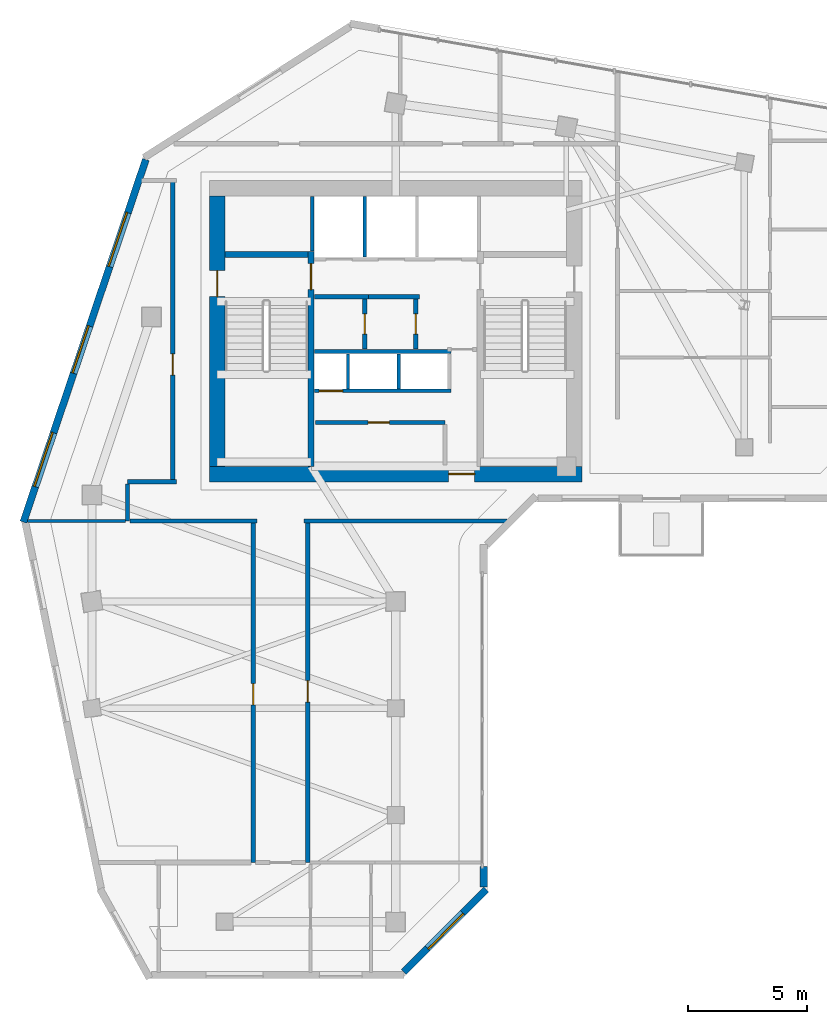
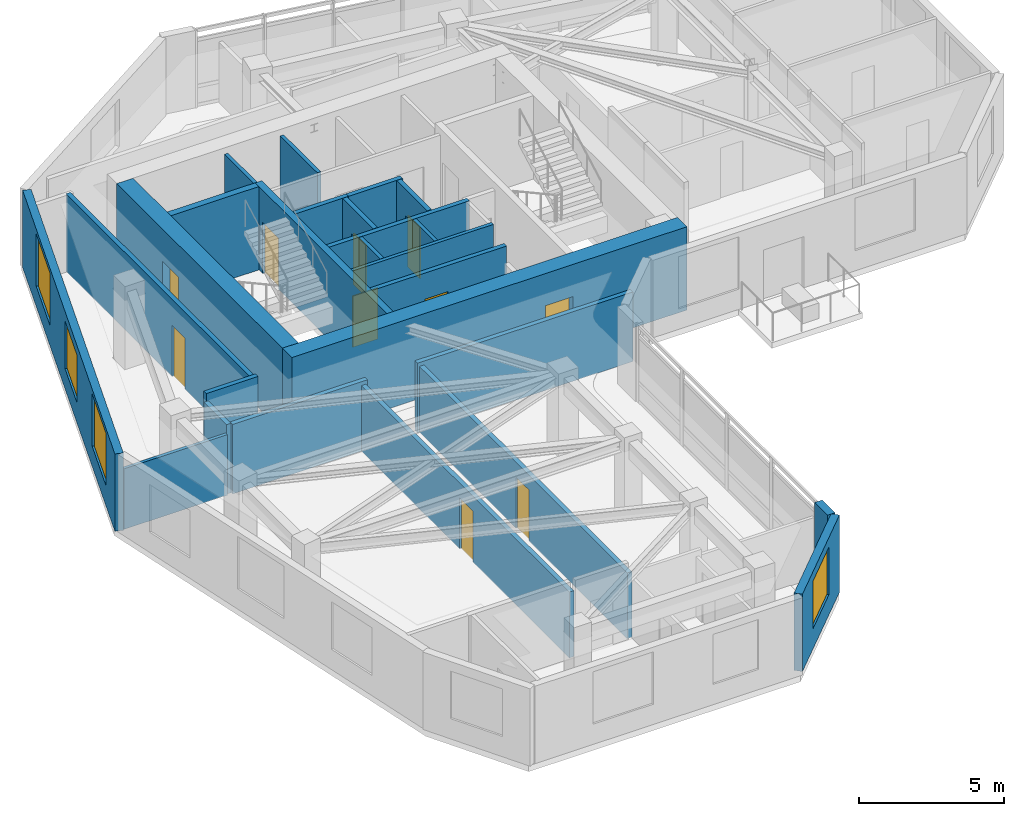
# One storey, part 4 of 9: 26 walls, 10 doors, 4 windows, 14 openings.
"""IFC4 building model written with IfcOpenShell, lengths in metres."""

from ifc_helpers import new_model, si_unit, direction, frame, frame_2d, origin, place, context, subcontext, project, spatial, rectangle, extrude, source, transform, mapped, material, layer, layer_set, type_object, element, fill, save


model = new_model("IFC4")

# Units and contexts
model_context = context("Model", 3, precision=1e-05, world=origin(), true_north=direction((0.0, 1.0)))
body_context = subcontext(model_context, "Body", "Model", "MODEL_VIEW")
ifc_project = project(units=[si_unit("LENGTHUNIT", "METRE"), si_unit("AREAUNIT", "SQUARE_METRE"), si_unit("VOLUMEUNIT", "CUBIC_METRE"), si_unit("PLANEANGLEUNIT", "RADIAN"), si_unit("MASSUNIT", "GRAM", prefix="KILO")], contexts=[model_context])

# Site, building, storey
site_placement = place(None, origin())
site = spatial("IfcSite", under=ifc_project, at=site_placement, CompositionType="ELEMENT")
building_placement = place(site_placement, origin())
building = spatial("IfcBuilding", under=site, at=building_placement, Name="Calvemar Wedge Station Tower", CompositionType="ELEMENT")
storey_placement = place(building_placement, frame((0.0, 0.0, 228.89990234375)))
storey = spatial("IfcBuildingStorey", under=building, at=storey_placement, Name="L58", CompositionType="ELEMENT", Elevation=228.89990234375)

# Wall, opening, door
ifc_material_1 = material(Name="Concrete C50", Category="concrete")
ifc_layer_1 = layer(ifc_material_1, 0.260009765625)
ifc_layer_set_1 = layer_set([ifc_layer_1], Name="Concrete C50")
wall_type_1 = type_object("IfcWallType", Name="SW-CORE-260", PredefinedType="SHEAR", material=ifc_layer_set_1)
wall_1_placement = place(storey_placement, frame((20.22998046875, 34.199951171875, 0.0), z_axis=(0.0, 0.0, 1.0), x_axis=(0.0, 1.0, 0.0)))
wall_1 = element("IfcWall", 1, at=wall_1_placement, inside=storey, type_object=wall_type_1, Name="Storey L58 Core Shear Wall SPINE-W", PredefinedType="SHEAR", context=body_context, shape_type="SweptSolid", body=[
    extrude(rectangle(XDim=9.06005859375, YDim=0.260009765625, at=frame_2d((4.530029296875, 0.0))), origin(), (0.0, 0.0, 1.0), 3.5),
])
shared_shape_1 = source(origin(), body_context, "Body", "SweptSolid", [
    extrude(rectangle(XDim=1.10009765625, YDim=2.14990234375, at=frame_2d((0.550048828125, 1.074951171875))), frame((0.0, 0.14013671875, 0.0), z_axis=(0.0, -1.0, 0.0), x_axis=(1.0, 0.0, 0.0)), (0.0, 0.0, 1.0), 0.280029296875),
])
opening_1_placement = place(wall_1_placement, frame((7.449951171875, 0.0, 0.0)))
opening_1 = element("IfcOpeningElement", 2, at=opening_1_placement, cuts=wall_1, Name="Opening FD-90", PredefinedType="OPENING", context=body_context, shape_type="MappedRepresentation", body=[
    mapped(shared_shape_1, transform((0.0, 0.0, 0.0), scale=1.0)),
])
ifc_material_2 = material(Name="Galvanized fire-rated steel door leaf P-90", Category="steel")
door_type_1 = type_object("IfcDoorType", Name="DR-FD90-1100", OperationType="NOTDEFINED", PredefinedType="DOOR", material=ifc_material_2)
shared_shape_2 = source(origin(), body_context, "Body", "SweptSolid", [
    extrude(rectangle(XDim=1.10009765625, YDim=2.14990234375, at=frame_2d((0.550048828125, 1.074951171875))), frame((0.0, 0.02490234375, 0.0), z_axis=(0.0, -1.0, 0.0), x_axis=(1.0, 0.0, 0.0)), (0.0, 0.0, 1.0), 0.050048828125),
])
door_1_placement = place(opening_1_placement, origin())
door_1 = element("IfcDoor", 3, at=door_1_placement, inside=storey, type_object=door_type_1, Name="L58 FF Lobby to Stair ST-C1 Door", OperationType="SINGLE_SWING_RIGHT", OverallHeight=2.14990234375, OverallWidth=1.10009765625, PredefinedType="DOOR", context=body_context, shape_type="MappedRepresentation", body=[
    mapped(shared_shape_2, transform((0.0, 0.0, 0.0), scale=1.0)),
])
fill(opening_1, door_1)

# Wall
wall_2_placement = place(storey_placement, frame((16.60009765625, 43.1298828125, 0.0), z_axis=(0.0, 0.0, 1.0), x_axis=(1.0, 0.0, 0.0)))
element("IfcWall", 4, at=wall_2_placement, inside=storey, type_object=wall_type_1, Name="Storey L58 Core Shear Wall STC1-N", PredefinedType="SHEAR", context=body_context, shape_type="SweptSolid", body=[
    extrude(rectangle(XDim=3.5, YDim=0.260009765625, at=frame_2d((1.75, 0.0))), origin(), (0.0, 0.0, 1.0), 3.5),
])

# Wall, opening, door
ifc_material_3 = material(Name="Concrete C60", Category="concrete")
ifc_layer_2 = layer(ifc_material_3, 0.64990234375)
ifc_layer_set_2 = layer_set([ifc_layer_2], Name="Concrete C60")
wall_type_2 = type_object("IfcWallType", Name="SW-CORE-650", PredefinedType="SHEAR", material=ifc_layer_set_2)
wall_3_placement = place(storey_placement, frame((15.949951171875, 33.875, 0.0), z_axis=(0.0, 0.0, 1.0), x_axis=(1.0, 0.0, 0.0)))
wall_3 = element("IfcWall", 5, at=wall_3_placement, inside=storey, type_object=wall_type_2, Name="Storey L58 Core Shear Wall S", PredefinedType="SHEAR", context=body_context, shape_type="SweptSolid", body=[
    extrude(rectangle(XDim=15.699951171875, YDim=0.64990234375, at=frame_2d((7.85009765625, 0.0))), origin(), (0.0, 0.0, 1.0), 3.5),
])
shared_shape_3 = source(origin(), body_context, "Body", "SweptSolid", [
    extrude(rectangle(XDim=1.10009765625, YDim=2.14990234375, at=frame_2d((0.550048828125, 1.074951171875))), frame((0.0, 0.3349609375, 0.0), z_axis=(0.0, -1.0, 0.0), x_axis=(1.0, 0.0, 0.0)), (0.0, 0.0, 1.0), 0.669921875),
])
opening_2_placement = place(wall_3_placement, frame((10.080078125, 0.0, 0.0)))
opening_2 = element("IfcOpeningElement", 6, at=opening_2_placement, cuts=wall_3, Name="Opening FD-90", PredefinedType="OPENING", context=body_context, shape_type="MappedRepresentation", body=[
    mapped(shared_shape_3, transform((0.0, 0.0, 0.0), scale=1.0)),
])
door_2_placement = place(opening_2_placement, origin())
door_2 = element("IfcDoor", 7, at=door_2_placement, inside=storey, type_object=door_type_1, Name="L58 Passenger Lift Lobby Door", OperationType="SINGLE_SWING_RIGHT", OverallHeight=2.14990234375, OverallWidth=1.10009765625, PredefinedType="DOOR", context=body_context, shape_type="MappedRepresentation", body=[
    mapped(shared_shape_2, transform((0.0, 0.0, 0.0), scale=1.0)),
])
fill(opening_2, door_2)

wall_4_placement = place(storey_placement, frame((16.27490234375, 34.199951171875, 0.0), z_axis=(0.0, 0.0, 1.0), x_axis=(0.0, 1.0, 0.0)))
wall_4 = element("IfcWall", 8, at=wall_4_placement, inside=storey, type_object=wall_type_2, Name="Storey L58 Core Shear Wall W", PredefinedType="SHEAR", context=body_context, shape_type="SweptSolid", body=[
    extrude(rectangle(XDim=11.400146484375, YDim=0.64990234375, at=frame_2d((5.7001953125, 0.0))), origin(), (0.0, 0.0, 1.0), 3.5),
])
opening_3_placement = place(wall_4_placement, frame((7.14990234375, 0.0, 0.0)))
opening_3 = element("IfcOpeningElement", 9, at=opening_3_placement, cuts=wall_4, Name="Opening FD-90", PredefinedType="OPENING", context=body_context, shape_type="MappedRepresentation", body=[
    mapped(shared_shape_3, transform((0.0, 0.0, 0.0), scale=1.0)),
])
door_3_placement = place(opening_3_placement, origin())
door_3 = element("IfcDoor", 10, at=door_3_placement, inside=storey, type_object=door_type_1, Name="L58 West Corridor to Exit Stair ST-C1 Door", OperationType="SINGLE_SWING_RIGHT", OverallHeight=2.14990234375, OverallWidth=1.10009765625, PredefinedType="DOOR", context=body_context, shape_type="MappedRepresentation", body=[
    mapped(shared_shape_2, transform((0.0, 0.0, 0.0), scale=1.0)),
])
fill(opening_3, door_3)

# Walls
ifc_material_4 = material(Name="Double-stud fire-rated corridor partition")
ifc_layer_3 = layer(ifc_material_4, 0.179931640625)
ifc_layer_set_3 = layer_set([ifc_layer_3], Name="Double-stud fire-rated corridor partition")
wall_type_3 = type_object("IfcWallType", Name="W-CORR-180", PredefinedType="PARTITIONING", material=ifc_layer_set_3)
wall_5_placement = place(storey_placement, frame((22.659912109375, 41.35009765625, 0.0), z_axis=(0.0, 0.0, 1.0), x_axis=(-1.0, 0.0, 0.0)))
element("IfcWall", 11, at=wall_5_placement, inside=storey, type_object=wall_type_3, Name="Storey L58 Interior Partition WL-L58-001", PredefinedType="PARTITIONING", context=body_context, shape_type="SweptSolid", body=[
    extrude(rectangle(XDim=2.280029296875, YDim=0.179931640625, at=frame_2d((1.14013671875, 0.0))), origin(), (0.0, 0.0, 1.0), 3.25),
])
wall_6_placement = place(storey_placement, frame((24.81005859375, 41.35009765625, 0.0), z_axis=(0.0, 0.0, 1.0), x_axis=(-1.0, 0.0, 0.0)))
element("IfcWall", 12, at=wall_6_placement, inside=storey, type_object=wall_type_3, Name="Storey L58 Interior Partition WL-L58-002", PredefinedType="PARTITIONING", context=body_context, shape_type="SweptSolid", body=[
    extrude(rectangle(XDim=2.14794921875, YDim=0.179931640625, at=frame_2d((1.073974609375, 0.0))), origin(), (0.0, 0.0, 1.0), 3.25),
])

# Wall, opening, door
wall_7_placement = place(storey_placement, frame((22.5, 41.256103515625, 0.0), z_axis=(0.0, 0.0, 1.0), x_axis=(0.0, -1.0, 0.0)))
wall_7 = element("IfcWall", 13, at=wall_7_placement, inside=storey, type_object=wall_type_3, Name="Storey L58 Interior Partition WL-L58-003", PredefinedType="PARTITIONING", context=body_context, shape_type="SweptSolid", body=[
    extrude(rectangle(XDim=2.106201171875, YDim=0.179931640625, at=frame_2d((1.05322265625, 0.0))), origin(), (0.0, 0.0, 1.0), 3.25),
])
shared_shape_4 = source(origin(), body_context, "Body", "SweptSolid", [
    extrude(rectangle(XDim=0.85009765625, YDim=2.14990234375, at=frame_2d((0.425048828125, 1.074951171875))), frame((0.0, 0.10009765625, 0.0), z_axis=(0.0, -1.0, 0.0), x_axis=(1.0, 0.0, 0.0)), (0.0, 0.0, 1.0), 0.199951171875),
])
opening_4_placement = place(wall_7_placement, frame((0.6279296875, 0.0, 0.0)))
opening_4 = element("IfcOpeningElement", 14, at=opening_4_placement, cuts=wall_7, Name="Opening FD-60S", PredefinedType="OPENING", context=body_context, shape_type="MappedRepresentation", body=[
    mapped(shared_shape_4, transform((0.0, 0.0, 0.0), scale=1.0)),
])
ifc_material_5 = material(Name="Fire-rated steel and hardwood service door EI 60", Category="steel")
door_type_2 = type_object("IfcDoorType", Name="DR-CORE-FD60-850", OperationType="NOTDEFINED", PredefinedType="DOOR", material=ifc_material_5)
shared_shape_5 = source(origin(), body_context, "Body", "SweptSolid", [
    extrude(rectangle(XDim=0.85009765625, YDim=2.14990234375, at=frame_2d((0.425048828125, 1.074951171875))), frame((0.0, 0.02490234375, 0.0), z_axis=(0.0, -1.0, 0.0), x_axis=(1.0, 0.0, 0.0)), (0.0, 0.0, 1.0), 0.050048828125),
])
door_4_placement = place(opening_4_placement, origin())
door_4 = element("IfcDoor", 15, at=door_4_placement, inside=storey, type_object=door_type_2, Name="L58 IT and Telecoms Room Door", OperationType="SINGLE_SWING_LEFT", OverallHeight=2.14990234375, OverallWidth=0.85009765625, PredefinedType="DOOR", context=body_context, shape_type="MappedRepresentation", body=[
    mapped(shared_shape_5, transform((0.0, 0.0, 0.0), scale=1.0)),
])
fill(opening_4, door_4)

wall_8_placement = place(storey_placement, frame((24.64990234375, 41.256103515625, 0.0), z_axis=(0.0, 0.0, 1.0), x_axis=(0.0, -1.0, 0.0)))
wall_8 = element("IfcWall", 16, at=wall_8_placement, inside=storey, type_object=wall_type_3, Name="Storey L58 Interior Partition WL-L58-004", PredefinedType="PARTITIONING", context=body_context, shape_type="SweptSolid", body=[
    extrude(rectangle(XDim=2.106201171875, YDim=0.179931640625, at=frame_2d((1.05322265625, 0.0))), origin(), (0.0, 0.0, 1.0), 3.25),
])
opening_5_placement = place(wall_8_placement, frame((0.6279296875, 0.0, 0.0)))
opening_5 = element("IfcOpeningElement", 17, at=opening_5_placement, cuts=wall_8, Name="Opening FD-60S", PredefinedType="OPENING", context=body_context, shape_type="MappedRepresentation", body=[
    mapped(shared_shape_4, transform((0.0, 0.0, 0.0), scale=1.0)),
])
door_5_placement = place(opening_5_placement, origin())
door_5 = element("IfcDoor", 18, at=door_5_placement, inside=storey, type_object=door_type_2, Name="L58 Core Equipment Store Door", OperationType="SINGLE_SWING_RIGHT", OverallHeight=2.14990234375, OverallWidth=0.85009765625, PredefinedType="DOOR", context=body_context, shape_type="MappedRepresentation", body=[
    mapped(shared_shape_5, transform((0.0, 0.0, 0.0), scale=1.0)),
])
fill(opening_5, door_5)

wall_9_placement = place(storey_placement, frame((20.419921875, 36.050048828125, 0.0), z_axis=(0.0, 0.0, 1.0), x_axis=(1.0, 0.0, 0.0)))
wall_9 = element("IfcWall", 19, at=wall_9_placement, inside=storey, type_object=wall_type_3, Name="Storey L58 Interior Partition WL-L58-006", PredefinedType="PARTITIONING", context=body_context, shape_type="SweptSolid", body=[
    extrude(rectangle(XDim=5.4599609375, YDim=0.179931640625, at=frame_2d((2.72998046875, 0.0))), origin(), (0.0, 0.0, 1.0), 3.25),
])
shared_shape_6 = source(origin(), body_context, "Body", "SweptSolid", [
    extrude(rectangle(XDim=0.89990234375, YDim=2.14990234375, at=frame_2d((0.449951171875, 1.074951171875))), frame((0.0, 0.10009765625, 0.0), z_axis=(0.0, -1.0, 0.0), x_axis=(1.0, 0.0, 0.0)), (0.0, 0.0, 1.0), 0.199951171875),
])
opening_6_placement = place(wall_9_placement, frame((2.219482421875, 0.0, 0.0)))
opening_6 = element("IfcOpeningElement", 20, at=opening_6_placement, cuts=wall_9, Name="Opening FD-60", PredefinedType="OPENING", context=body_context, shape_type="MappedRepresentation", body=[
    mapped(shared_shape_6, transform((0.0, 0.0, 0.0), scale=1.0)),
])
ifc_material_6 = material(Name="Fire-rated acoustic timber-core entrance door EI 60", Category="wood")
door_type_3 = type_object("IfcDoorType", Name="DR-FD60-900", OperationType="NOTDEFINED", PredefinedType="DOOR", material=ifc_material_6)
shared_shape_7 = source(origin(), body_context, "Body", "SweptSolid", [
    extrude(rectangle(XDim=0.89990234375, YDim=2.14990234375, at=frame_2d((0.449951171875, 1.074951171875))), frame((0.0, 0.02490234375, 0.0), z_axis=(0.0, -1.0, 0.0), x_axis=(1.0, 0.0, 0.0)), (0.0, 0.0, 1.0), 0.050048828125),
])
door_6_placement = place(opening_6_placement, origin())
door_6 = element("IfcDoor", 21, at=door_6_placement, inside=storey, type_object=door_type_3, Name="L58 Parcel and Resident Store Door", OperationType="SINGLE_SWING_RIGHT", OverallHeight=2.14990234375, OverallWidth=0.89990234375, PredefinedType="DOOR", context=body_context, shape_type="MappedRepresentation", body=[
    mapped(shared_shape_7, transform((0.0, 0.0, 0.0), scale=1.0)),
])
fill(opening_6, door_6)

# Walls
wall_10_placement = place(storey_placement, frame((12.5, 33.550048828125, 0.0), z_axis=(0.0, 0.0, 1.0), x_axis=(1.0, 0.0, 0.0)))
element("IfcWall", 22, at=wall_10_placement, inside=storey, type_object=wall_type_3, Name="Storey L58 Interior Partition WL-L58-008", PredefinedType="PARTITIONING", context=body_context, shape_type="SweptSolid", body=[
    extrude(rectangle(XDim=2.06005859375, YDim=0.179931640625, at=frame_2d((1.030029296875, 0.0))), origin(), (0.0, 0.0, 1.0), 3.25),
])
wall_11_placement = place(storey_placement, frame((12.5, 31.89990234375, 0.0), z_axis=(0.0, 0.0, 1.0), x_axis=(0.0, 1.0, 0.0)))
element("IfcWall", 23, at=wall_11_placement, inside=storey, type_object=wall_type_3, Name="Storey L58 Interior Partition WL-L58-009", PredefinedType="PARTITIONING", context=body_context, shape_type="SweptSolid", body=[
    extrude(rectangle(XDim=1.55615234375, YDim=0.179931640625, at=frame_2d((0.778076171875, 0.0))), origin(), (0.0, 0.0, 1.0), 2.919189453125),
])
wall_12_placement = place(storey_placement, frame((17.9599609375, 31.89990234375, 0.0), z_axis=(0.0, 0.0, 1.0), x_axis=(-1.0, 0.0, 0.0)))
element("IfcWall", 24, at=wall_12_placement, inside=storey, type_object=wall_type_3, Name="Storey L58 Interior Partition WL-L58-010", PredefinedType="PARTITIONING", context=body_context, shape_type="SweptSolid", body=[
    extrude(rectangle(XDim=5.365966796875, YDim=0.179931640625, at=frame_2d((2.68310546875, 0.0))), origin(), (0.0, 0.0, 1.0), 2.919189453125),
])
wall_13_placement = place(storey_placement, frame((28.497314453125, 31.89990234375, 0.0), z_axis=(0.0, 0.0, 1.0), x_axis=(-1.0, 0.0, 0.0)))
element("IfcWall", 25, at=wall_13_placement, inside=storey, type_object=wall_type_3, Name="Storey L58 Interior Partition WL-L58-011", PredefinedType="PARTITIONING", context=body_context, shape_type="SweptSolid", body=[
    extrude(rectangle(XDim=8.557373046875, YDim=0.179931640625, at=frame_2d((4.27880859375, 0.0))), origin(), (0.0, 0.0, 1.0), 2.919189453125),
])

# Wall, opening, door
wall_14_placement = place(storey_placement, frame((14.39990234375, 33.64404296875, 0.0), z_axis=(0.0, 0.0, 1.0), x_axis=(0.0, 1.0, 0.0)))
wall_14 = element("IfcWall", 26, at=wall_14_placement, inside=storey, type_object=wall_type_3, Name="Storey L58 Interior Partition WL-L58-012", PredefinedType="PARTITIONING", context=body_context, shape_type="SweptSolid", body=[
    extrude(rectangle(XDim=12.60595703125, YDim=0.179931640625, at=frame_2d((6.302978515625, 0.0))), origin(), (0.0, 0.0, 1.0), 3.25),
])
opening_7_placement = place(wall_14_placement, frame((4.399169921875, 0.0, 0.0)))
opening_7 = element("IfcOpeningElement", 27, at=opening_7_placement, cuts=wall_14, Name="Opening D-01", PredefinedType="OPENING", context=body_context, shape_type="MappedRepresentation", body=[
    mapped(shared_shape_6, transform((0.0, 0.0, 0.0), scale=1.0)),
])
ifc_material_7 = material(Name="Architectural hardwood acoustic swing door", Category="wood")
door_type_4 = type_object("IfcDoorType", Name="DR-INT-900", OperationType="NOTDEFINED", PredefinedType="DOOR", material=ifc_material_7)
shared_shape_8 = source(origin(), body_context, "Body", "SweptSolid", [
    extrude(rectangle(XDim=0.89990234375, YDim=2.14990234375, at=frame_2d((0.449951171875, 1.074951171875))), frame((0.0, 0.02490234375, 0.0), z_axis=(0.0, -1.0, 0.0), x_axis=(1.0, 0.0, 0.0)), (0.0, 0.0, 1.0), 0.050048828125),
])
door_7_placement = place(opening_7_placement, origin())
door_7 = element("IfcDoor", 28, at=door_7_placement, inside=storey, type_object=door_type_4, Name="L58 Resident Reading Lounge Door", OperationType="SINGLE_SWING_LEFT", OverallHeight=2.14990234375, OverallWidth=0.89990234375, PredefinedType="DOOR", context=body_context, shape_type="MappedRepresentation", body=[
    mapped(shared_shape_8, transform((0.0, 0.0, 0.0), scale=1.0)),
])
fill(opening_7, door_7)

wall_15_placement = place(storey_placement, frame((17.800048828125, 17.5, 0.0), z_axis=(0.0, 0.0, 1.0), x_axis=(0.0, 1.0, 0.0)))
wall_15 = element("IfcWall", 29, at=wall_15_placement, inside=storey, type_object=wall_type_3, Name="Storey L58 Interior Partition WL-L58-038", PredefinedType="PARTITIONING", context=body_context, shape_type="SweptSolid", body=[
    extrude(rectangle(XDim=14.305908203125, YDim=0.179931640625, at=frame_2d((7.15283203125, 0.0))), origin(), (0.0, 0.0, 1.0), 2.76611328125),
])
opening_8_placement = place(wall_15_placement, frame((6.64306640625, 0.0, 0.0)))
opening_8 = element("IfcOpeningElement", 30, at=opening_8_placement, cuts=wall_15, Name="Opening D-01", PredefinedType="OPENING", context=body_context, shape_type="MappedRepresentation", body=[
    mapped(shared_shape_6, transform((0.0, 0.0, 0.0), scale=1.0)),
])
door_8_placement = place(opening_8_placement, origin())
door_8 = element("IfcDoor", 31, at=door_8_placement, inside=storey, type_object=door_type_4, Name="L58 Fitness Studio Door", OperationType="SINGLE_SWING_LEFT", OverallHeight=2.14990234375, OverallWidth=0.89990234375, PredefinedType="DOOR", context=body_context, shape_type="MappedRepresentation", body=[
    mapped(shared_shape_8, transform((0.0, 0.0, 0.0), scale=1.0)),
])
fill(opening_8, door_8)

wall_16_placement = place(storey_placement, frame((20.10009765625, 31.805908203125, 0.0), z_axis=(0.0, 0.0, 1.0), x_axis=(0.0, -1.0, 0.0)))
wall_16 = element("IfcWall", 32, at=wall_16_placement, inside=storey, type_object=wall_type_3, Name="Storey L58 Interior Partition WL-L58-039", PredefinedType="PARTITIONING", context=body_context, shape_type="SweptSolid", body=[
    extrude(rectangle(XDim=14.305908203125, YDim=0.179931640625, at=frame_2d((7.15283203125, 0.0))), origin(), (0.0, 0.0, 1.0), 2.76611328125),
])
opening_9_placement = place(wall_16_placement, frame((6.64306640625, 0.0, 0.0)))
opening_9 = element("IfcOpeningElement", 33, at=opening_9_placement, cuts=wall_16, Name="Opening D-01", PredefinedType="OPENING", context=body_context, shape_type="MappedRepresentation", body=[
    mapped(shared_shape_6, transform((0.0, 0.0, 0.0), scale=1.0)),
])
door_9_placement = place(opening_9_placement, origin())
door_9 = element("IfcDoor", 34, at=door_9_placement, inside=storey, type_object=door_type_4, Name="L58 Resident Music Salon Door", OperationType="SINGLE_SWING_RIGHT", OverallHeight=2.14990234375, OverallWidth=0.89990234375, PredefinedType="DOOR", context=body_context, shape_type="MappedRepresentation", body=[
    mapped(shared_shape_8, transform((0.0, 0.0, 0.0), scale=1.0)),
])
fill(opening_9, door_9)

# Wall, opening, window
ifc_material_8 = material(Name="Precast concrete C45", Category="concrete")
ifc_layer_4 = layer(ifc_material_8, 0.300048828125)
ifc_layer_set_4 = layer_set([ifc_layer_4], Name="Precast concrete C45")
wall_type_4 = type_object("IfcWallType", Name="W-EXT-GFRC-300", PredefinedType="SOLIDWALL", material=ifc_layer_set_4)
wall_17_placement = place(storey_placement, frame((24.139892578125, 12.887939453125, 0.0), z_axis=(0.0, 0.0, 1.0), x_axis=(0.707106781187, 0.707106781187, 0.0)))
wall_17 = element("IfcWall", 35, at=wall_17_placement, inside=storey, type_object=wall_type_4, Name="Storey L58 Bronze GFRC Exterior Wall 3", PredefinedType="SOLIDWALL", context=body_context, shape_type="SweptSolid", body=[
    extrude(rectangle(XDim=4.921875, YDim=0.300048828125, at=frame_2d((2.4609375, 0.0))), origin(), (0.0, 0.0, 1.0), 3.25),
])
shared_shape_9 = source(origin(), body_context, "Body", "SweptSolid", [
    extrude(rectangle(XDim=2.10009765625, YDim=2.0, at=frame_2d((1.050048828125, 1.0))), frame((0.0, 0.16015625, 0.0), z_axis=(0.0, -1.0, 0.0), x_axis=(1.0, 0.0, 0.0)), (0.0, 0.0, 1.0), 0.320068359375),
])
opening_10_placement = place(wall_17_placement, frame((1.410888671875, 0.0, 0.85009765625)))
opening_10 = element("IfcOpeningElement", 36, at=opening_10_placement, cuts=wall_17, Name="Opening W4", PredefinedType="OPENING", context=body_context, shape_type="MappedRepresentation", body=[
    mapped(shared_shape_9, transform((0.0, 0.0, 0.0), scale=1.0)),
])
ifc_material_9 = material(Name="Low-E laminated insulated glass", Category="glass")
window_type_1 = type_object("IfcWindowType", Name="WIN-EXT-4", PartitioningType="SINGLE_PANEL", PredefinedType="WINDOW", material=ifc_material_9)
shared_shape_10 = source(origin(), body_context, "Body", "SweptSolid", [
    extrude(rectangle(XDim=2.10009765625, YDim=2.0, at=frame_2d((1.050048828125, 1.0))), frame((0.0, -0.014892578125, 0.0), z_axis=(0.0, -1.0, 0.0), x_axis=(1.0, 0.0, 0.0)), (0.0, 0.0, 1.0), 0.06005859375),
])
window_1_placement = place(opening_10_placement, origin())
window_1 = element("IfcWindow", 37, at=window_1_placement, inside=storey, type_object=window_type_1, Name="Storey L58 Recessed Window 3.1", OverallHeight=2.0, OverallWidth=2.10009765625, PartitioningType="SINGLE_PANEL", PredefinedType="WINDOW", context=body_context, shape_type="MappedRepresentation", body=[
    mapped(shared_shape_10, transform((0.0, 0.0, 0.0), scale=1.0)),
])
fill(opening_10, window_1)

# Wall
wall_18_placement = place(storey_placement, frame((27.513916015625, 16.457275390625, 0.0), z_axis=(0.0, 0.0, 1.0), x_axis=(0.0, 1.0, 0.0)))
element("IfcWall", 38, at=wall_18_placement, inside=storey, type_object=wall_type_4, Name="Storey L58 Bronze GFRC Corner Pier 4A", PredefinedType="SOLIDWALL", context=body_context, shape_type="SweptSolid", body=[
    extrude(rectangle(XDim=0.88232421875, YDim=0.300048828125, at=frame_2d((0.441162109375, 0.0))), origin(), (0.0, 0.0, 1.0), 3.25),
])

# Wall, openings, windows
wall_19_placement = place(storey_placement, frame((13.2685546875, 47.1337890625, 0.0), z_axis=(0.0, 0.0, 1.0), x_axis=(-0.319920776449, -0.947444297464, 0.0)))
wall_19 = element("IfcWall", 39, at=wall_19_placement, inside=storey, type_object=wall_type_4, Name="Storey L58 Bronze GFRC Exterior Wall 12", PredefinedType="SOLIDWALL", context=body_context, shape_type="SweptSolid", body=[
    extrude(rectangle(XDim=16.13330078125, YDim=0.300048828125, at=frame_2d((8.066650390625, 0.0))), origin(), (0.0, 0.0, 1.0), 3.25),
])
shared_shape_11 = source(origin(), body_context, "Body", "SweptSolid", [
    extrude(rectangle(XDim=2.39990234375, YDim=2.199951171875, at=frame_2d((1.199951171875, 1.10009765625))), frame((0.0, 0.16015625, 0.0), z_axis=(0.0, -1.0, 0.0), x_axis=(1.0, 0.0, 0.0)), (0.0, 0.0, 1.0), 0.320068359375),
])
opening_11_placement = place(wall_19_placement, frame((2.363037109375, 0.0, 0.85009765625)))
opening_11 = element("IfcOpeningElement", 40, at=opening_11_placement, cuts=wall_19, Name="Opening W1", PredefinedType="OPENING", context=body_context, shape_type="MappedRepresentation", body=[
    mapped(shared_shape_11, transform((0.0, 0.0, 0.0), scale=1.0)),
])
opening_12_placement = place(wall_19_placement, frame((7.409912109375, 0.0, 0.85009765625)))
opening_12 = element("IfcOpeningElement", 41, at=opening_12_placement, cuts=wall_19, Name="Opening W4", PredefinedType="OPENING", context=body_context, shape_type="MappedRepresentation", body=[
    mapped(shared_shape_9, transform((0.0, 0.0, 0.0), scale=1.0)),
])
opening_13_placement = place(wall_19_placement, frame((12.156982421875, 0.0, 0.85009765625)))
opening_13 = element("IfcOpeningElement", 42, at=opening_13_placement, cuts=wall_19, Name="Opening W1", PredefinedType="OPENING", context=body_context, shape_type="MappedRepresentation", body=[
    mapped(shared_shape_11, transform((0.0, 0.0, 0.0), scale=1.0)),
])
window_2_placement = place(opening_12_placement, origin())
window_2 = element("IfcWindow", 43, at=window_2_placement, inside=storey, type_object=window_type_1, Name="Storey L58 Recessed Window 12.2", OverallHeight=2.0, OverallWidth=2.10009765625, PartitioningType="SINGLE_PANEL", PredefinedType="WINDOW", context=body_context, shape_type="MappedRepresentation", body=[
    mapped(shared_shape_10, transform((0.0, 0.0, 0.0), scale=1.0)),
])
fill(opening_12, window_2)
window_type_2 = type_object("IfcWindowType", Name="WIN-EXT-1", PartitioningType="SINGLE_PANEL", PredefinedType="WINDOW", material=ifc_material_9)
shared_shape_12 = source(origin(), body_context, "Body", "SweptSolid", [
    extrude(rectangle(XDim=2.39990234375, YDim=2.199951171875, at=frame_2d((1.199951171875, 1.10009765625))), frame((0.0, -0.014892578125, 0.0), z_axis=(0.0, -1.0, 0.0), x_axis=(1.0, 0.0, 0.0)), (0.0, 0.0, 1.0), 0.06005859375),
])
window_3_placement = place(opening_11_placement, origin())
window_3 = element("IfcWindow", 44, at=window_3_placement, inside=storey, type_object=window_type_2, Name="Storey L58 Recessed Window 12.1", OverallHeight=2.199951171875, OverallWidth=2.39990234375, PartitioningType="SINGLE_PANEL", PredefinedType="WINDOW", context=body_context, shape_type="MappedRepresentation", body=[
    mapped(shared_shape_12, transform((0.0, 0.0, 0.0), scale=1.0)),
])
fill(opening_11, window_3)
window_4_placement = place(opening_13_placement, origin())
window_4 = element("IfcWindow", 45, at=window_4_placement, inside=storey, type_object=window_type_2, Name="Storey L58 Recessed Window 12.3", OverallHeight=2.199951171875, OverallWidth=2.39990234375, PartitioningType="SINGLE_PANEL", PredefinedType="WINDOW", context=body_context, shape_type="MappedRepresentation", body=[
    mapped(shared_shape_12, transform((0.0, 0.0, 0.0), scale=1.0)),
])
fill(opening_13, window_4)

# Walls
ifc_material_10 = material(Name="Reinforced concrete blockwork lift shaft wall", Category="masonry")
ifc_layer_5 = layer(ifc_material_10, 0.139892578125)
ifc_layer_set_5 = layer_set([ifc_layer_5], Name="Reinforced concrete blockwork lift shaft wall")
wall_type_5 = type_object("IfcWallType", Name="W-LIFT-160", PredefinedType="SOLIDWALL", material=ifc_layer_set_5)
wall_20_placement = place(storey_placement, frame((20.2900390625, 43.280029296875, 0.0), z_axis=(0.0, 0.0, 1.0), x_axis=(0.0, 1.0, 0.0)))
element("IfcWall", 46, at=wall_20_placement, inside=storey, type_object=wall_type_5, Name="Storey L58 Firefighting Lift Shaft Enclosure Wall W", PredefinedType="SOLIDWALL", context=body_context, shape_type="SweptSolid", body=[
    extrude(rectangle(XDim=2.300048828125, YDim=0.139892578125, at=frame_2d((1.14990234375, 0.0))), origin(), (0.0, 0.0, 1.0), 3.25),
])
wall_21_placement = place(storey_placement, frame((22.5, 43.02001953125, 0.0), z_axis=(0.0, 0.0, 1.0), x_axis=(0.0, 1.0, 0.0)))
element("IfcWall", 47, at=wall_21_placement, inside=storey, type_object=wall_type_5, Name="Storey L58 Firefighting Lift Shaft Enclosure Wall D1", PredefinedType="SOLIDWALL", context=body_context, shape_type="SweptSolid", body=[
    extrude(rectangle(XDim=2.56005859375, YDim=0.139892578125, at=frame_2d((1.280029296875, 0.0))), origin(), (0.0, 0.0, 1.0), 3.25),
])

# Wall, opening, door
wall_22_placement = place(storey_placement, frame((20.3798828125, 37.3798828125, 0.0), z_axis=(0.0, 0.0, 1.0), x_axis=(1.0, 0.0, 0.0)))
wall_22 = element("IfcWall", 48, at=wall_22_placement, inside=storey, type_object=wall_type_5, Name="Storey L58 Upper Passenger Lift Bank Front Wall", PredefinedType="SOLIDWALL", context=body_context, shape_type="SweptSolid", body=[
    extrude(rectangle(XDim=5.75, YDim=0.139892578125, at=frame_2d((2.875, 0.0))), origin(), (0.0, 0.0, 1.0), 3.25),
])
shared_shape_13 = source(origin(), body_context, "Body", "SweptSolid", [
    extrude(rectangle(XDim=1.0, YDim=2.14990234375, at=frame_2d((0.5, 1.074951171875))), frame((0.0, 0.080078125, 0.0), z_axis=(0.0, -1.0, 0.0), x_axis=(1.0, 0.0, 0.0)), (0.0, 0.0, 1.0), 0.159912109375),
])
opening_14_placement = place(wall_22_placement, frame((0.18994140625, 0.0, 0.0)))
opening_14 = element("IfcOpeningElement", 49, at=opening_14_placement, cuts=wall_22, Name="Opening LD-PAX", PredefinedType="OPENING", context=body_context, shape_type="MappedRepresentation", body=[
    mapped(shared_shape_13, transform((0.0, 0.0, 0.0), scale=1.0)),
])
ifc_material_11 = material(Name="Anodised bronze passenger lift sliding landing door")
door_type_5 = type_object("IfcDoorType", Name="DR-LD-PAX-1000", OperationType="SLIDING_TO_LEFT", PredefinedType="DOOR", material=ifc_material_11)
shared_shape_14 = source(origin(), body_context, "Body", "SweptSolid", [
    extrude(rectangle(XDim=1.0, YDim=2.14990234375, at=frame_2d((0.5, 1.074951171875))), frame((0.0, 0.02490234375, 0.0), z_axis=(0.0, -1.0, 0.0), x_axis=(1.0, 0.0, 0.0)), (0.0, 0.0, 1.0), 0.050048828125),
])
door_10_placement = place(opening_14_placement, origin())
door_10 = element("IfcDoor", 50, at=door_10_placement, inside=storey, type_object=door_type_5, Name="L58 Lift RH-01 Sliding Landing Door", OperationType="SLIDING_TO_LEFT", OverallHeight=2.14990234375, OverallWidth=1.0, PredefinedType="DOOR", context=body_context, shape_type="MappedRepresentation", body=[
    mapped(shared_shape_14, transform((0.0, 0.0, 0.0), scale=1.0)),
])
fill(opening_14, door_10)

# Walls
for number, where, z_axis, x_axis, name in (
    (51, (21.794921875, 37.4599609375, 0.0), (0.0, 0.0, 1.0), (0.0, 1.0, 0.0), "Storey L58 Upper Passenger Lift Shaft Wall D1"),
    (52, (23.93505859375, 37.4599609375, 0.0), (0.0, 0.0, 1.0), (0.0, 1.0, 0.0), "Storey L58 Upper Passenger Lift Shaft Wall D2"),
):
    element("IfcWall", number, at=place(storey_placement, frame(where, z_axis=z_axis, x_axis=x_axis)), inside=storey, type_object=wall_type_5, Name=name, PredefinedType="SOLIDWALL", context=body_context, shape_type="SweptSolid", body=[
        extrude(rectangle(XDim=1.47998046875, YDim=0.139892578125, at=frame_2d((0.739990234375, 0.0))), origin(), (0.0, 0.0, 1.0), 3.25),
    ])
ifc_material_12 = material(Name="Insulated acoustic gypsum stud partition")
ifc_layer_6 = layer(ifc_material_12, 0.125)
ifc_layer_set_6 = layer_set([ifc_layer_6], Name="Insulated acoustic gypsum stud partition")
wall_type_6 = type_object("IfcWallType", Name="W-PART-125", PredefinedType="PARTITIONING", material=ifc_layer_set_6)
wall_23_placement = place(storey_placement, frame((12.406005859375, 31.89990234375, 0.0), z_axis=(0.0, 0.0, 1.0), x_axis=(-1.0, 0.0, 0.0)))
element("IfcWall", 53, at=wall_23_placement, inside=storey, type_object=wall_type_6, Name="Storey L58 Interior Partition WL-L58-021", PredefinedType="PARTITIONING", context=body_context, shape_type="SweptSolid", body=[
    extrude(rectangle(XDim=4.11474609375, YDim=0.125, at=frame_2d((2.057373046875, 0.0))), origin(), (0.0, 0.0, 1.0), 2.5419921875),
])
ifc_material_13 = material(Name="Concrete blockwork and fireboard shaft wall", Category="masonry")
ifc_layer_7 = layer(ifc_material_13, 0.199951171875)
ifc_layer_set_7 = layer_set([ifc_layer_7], Name="Concrete blockwork and fireboard shaft wall")
wall_type_7 = type_object("IfcWallType", Name="W-SHAFT-200", PredefinedType="SOLIDWALL", material=ifc_layer_set_7)
wall_24_placement = place(storey_placement, frame((20.3798828125, 39.0400390625, 0.0), z_axis=(0.0, 0.0, 1.0), x_axis=(1.0, 0.0, 0.0)))
element("IfcWall", 54, at=wall_24_placement, inside=storey, type_object=wall_type_7, Name="Storey L58 Upper Passenger Lift Bank Rear Shaft Wall", PredefinedType="SOLIDWALL", context=body_context, shape_type="SweptSolid", body=[
    extrude(rectangle(XDim=5.75, YDim=0.179931640625, at=frame_2d((2.875, 0.0))), origin(), (0.0, 0.0, 1.0), 3.25),
])

save(model, "model.ifc")
